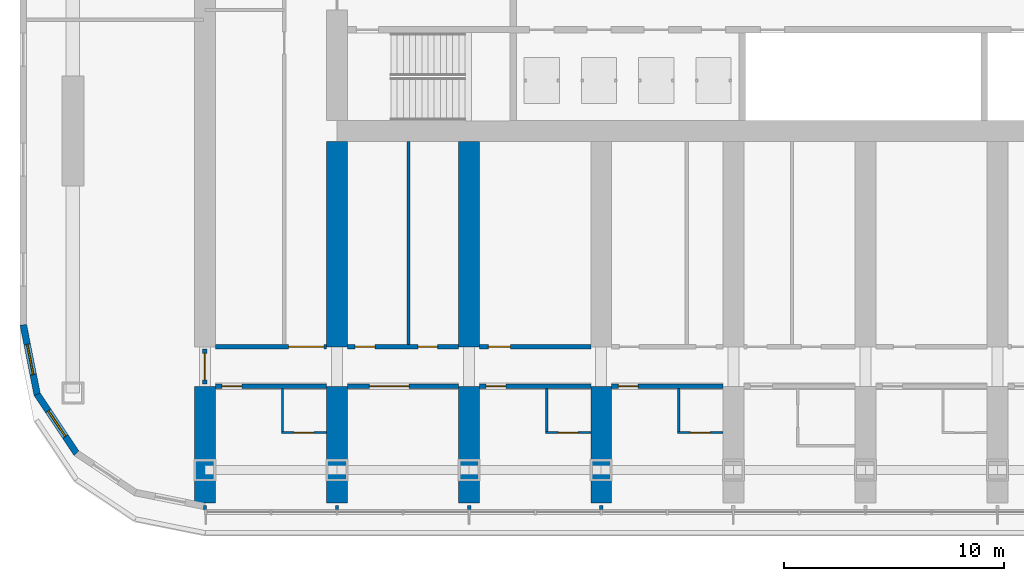
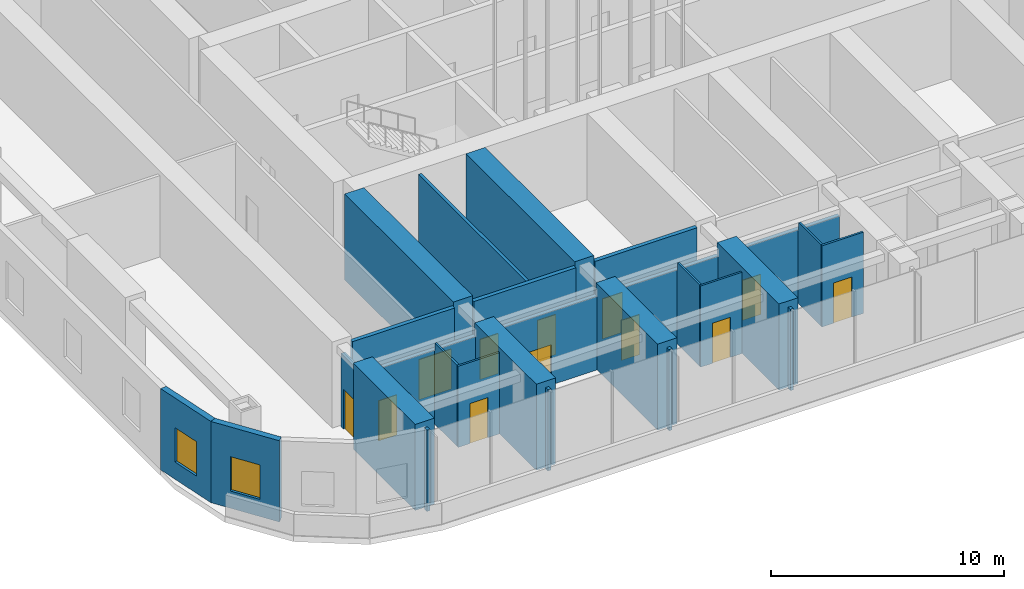
# One storey, part 7 of 31: 27 walls, 12 doors, 2 windows, 14 openings.
"""IFC4 building model written with IfcOpenShell, lengths in metres."""

from ifc_helpers import new_model, si_unit, direction, frame, frame_2d, origin, place, context, subcontext, project, spatial, polyline, rectangle, outline, extrude, material, layer, layer_set, type_object, element, fill, save


model = new_model("IFC4")

# Units and contexts
model_context = context("Model", 3, precision=1e-05, world=origin(), true_north=direction((0.0, 1.0)))
body_context = subcontext(model_context, "Body", "Model", "MODEL_VIEW")
ifc_project = project(units=[si_unit("LENGTHUNIT", "METRE"), si_unit("AREAUNIT", "SQUARE_METRE"), si_unit("VOLUMEUNIT", "CUBIC_METRE"), si_unit("PLANEANGLEUNIT", "RADIAN"), si_unit("MASSUNIT", "GRAM", prefix="KILO")], contexts=[model_context])

# Site, building, storey
site_placement = place(None, origin())
site = spatial("IfcSite", under=ifc_project, at=site_placement, CompositionType="ELEMENT")
building_placement = place(site_placement, origin())
building = spatial("IfcBuilding", under=site, at=building_placement, Name="Orbita Commons", CompositionType="ELEMENT")
storey_placement = place(building_placement, frame((0.0, 0.0, 76.14990234375)))
storey = spatial("IfcBuildingStorey", under=building, at=storey_placement, Name="L18", CompositionType="ELEMENT", Elevation=76.14990234375)

# Wall, opening, door
ifc_material_1 = material(Name="Concrete blockwork", Category="masonry")
ifc_layer_1 = layer(ifc_material_1, 0.199951171875)
ifc_layer_set_1 = layer_set([ifc_layer_1], Name="Concrete blockwork")
wall_type_1 = type_object("IfcWallType", Name="Corridor wall 200 blockwork", PredefinedType="SOLIDWALL", material=ifc_layer_set_1)
wall_1_placement = place(storey_placement, frame((12.47509765625, 14.199951171875, 0.0), z_axis=(0.0, 0.0, 1.0), x_axis=(1.0, 0.0, 0.0)))
wall_1 = element("IfcWall", 1, at=wall_1_placement, inside=storey, type_object=wall_type_1, Name="Corridor wall 200 blockwork L18", PredefinedType="SOLIDWALL", context=body_context, shape_type="SweptSolid", body=[
    extrude(outline(polyline([(0.0, 0.0), (5.0498046875, 0.0), (5.050048828125, 3.85009765625), (0.0, 3.85009765625), (0.0, 0.0)])), frame((0.0, 0.10009765625, 0.0), z_axis=(0.0, -1.0, 0.0), x_axis=(1.0, 0.0, 0.0)), (0.0, 0.0, 1.0), 0.199951171875),
])
opening_1_placement = place(wall_1_placement, frame((0.300048828125, 0.0, 0.0)))
opening_1 = element("IfcOpeningElement", 2, at=opening_1_placement, cuts=wall_1, Name="Opening D11", PredefinedType="OPENING", context=body_context, shape_type="SweptSolid", body=[
    extrude(rectangle(XDim=0.89990234375, YDim=2.10009765625, at=frame_2d((0.449951171875, 1.050048828125))), frame((0.0, 0.10986328125, 0.0), z_axis=(0.0, -1.0, 0.0), x_axis=(1.0, 0.0, 0.0)), (0.0, 0.0, 1.0), 0.219970703125),
])
ifc_material_2 = material(Name="Steel-faced fire door leaf", Category="steel")
door_type_1 = type_object("IfcDoorType", Name="Corridor door 20 min 900x2100", OperationType="SINGLE_SWING_LEFT", PredefinedType="DOOR", material=ifc_material_2)
door_1_placement = place(opening_1_placement, origin())
door_1 = element("IfcDoor", 3, at=door_1_placement, inside=storey, type_object=door_type_1, Name="Guest studio with kitchenette L18-SF0 door", OperationType="SINGLE_SWING_LEFT", OverallHeight=2.10009765625, OverallWidth=0.89990234375, PredefinedType="DOOR", context=body_context, shape_type="SweptSolid", body=[
    extrude(rectangle(XDim=0.89990234375, YDim=2.10009765625, at=frame_2d((0.449951171875, 1.050048828125))), frame((0.0, 0.02490234375, 0.0), z_axis=(0.0, -1.0, 0.0), x_axis=(1.0, 0.0, 0.0)), (0.0, 0.0, 1.0), 0.050048828125),
])
fill(opening_1, door_1)

wall_2_placement = place(storey_placement, frame((18.47509765625, 14.199951171875, 0.0), z_axis=(0.0, 0.0, 1.0), x_axis=(1.0, 0.0, 0.0)))
wall_2 = element("IfcWall", 4, at=wall_2_placement, inside=storey, type_object=wall_type_1, Name="Corridor wall 200 blockwork L18", PredefinedType="SOLIDWALL", context=body_context, shape_type="SweptSolid", body=[
    extrude(outline(polyline([(0.0, 0.0), (5.0498046875, 0.0), (5.050048828125, 3.85009765625), (0.0, 3.85009765625), (0.0, 0.0)])), frame((0.0, 0.10009765625, 0.0), z_axis=(0.0, -1.0, 0.0), x_axis=(1.0, 0.0, 0.0)), (0.0, 0.0, 1.0), 0.199951171875),
])
opening_2_placement = place(wall_2_placement, frame((1.0, 0.0, 0.0)))
opening_2 = element("IfcOpeningElement", 5, at=opening_2_placement, cuts=wall_2, Name="Opening D07", PredefinedType="OPENING", context=body_context, shape_type="SweptSolid", body=[
    extrude(rectangle(XDim=1.800048828125, YDim=2.10009765625, at=frame_2d((0.89990234375, 1.050048828125))), frame((0.0, 0.10986328125, 0.0), z_axis=(0.0, -1.0, 0.0), x_axis=(1.0, 0.0, 0.0)), (0.0, 0.0, 1.0), 0.219970703125),
])
ifc_material_3 = material(Name="Steel-faced fire door leaf", Category="steel")
door_type_2 = type_object("IfcDoorType", Name="Double corridor door 20 min 1800x2100", OperationType="DOUBLE_DOOR_SINGLE_SWING", PredefinedType="DOOR", material=ifc_material_3)
door_2_placement = place(opening_2_placement, origin())
door_2 = element("IfcDoor", 6, at=door_2_placement, inside=storey, type_object=door_type_2, Name="Sky cafe L18-SF1 doors", OperationType="DOUBLE_DOOR_SINGLE_SWING", OverallHeight=2.10009765625, OverallWidth=1.800048828125, PredefinedType="DOOR", context=body_context, shape_type="SweptSolid", body=[
    extrude(rectangle(XDim=1.800048828125, YDim=2.10009765625, at=frame_2d((0.89990234375, 1.050048828125))), frame((0.0, 0.02490234375, 0.0), z_axis=(0.0, -1.0, 0.0), x_axis=(1.0, 0.0, 0.0)), (0.0, 0.0, 1.0), 0.050048828125),
])
fill(opening_2, door_2)

wall_3_placement = place(storey_placement, frame((24.47509765625, 14.199951171875, 0.0), z_axis=(0.0, 0.0, 1.0), x_axis=(1.0, 0.0, 0.0)))
wall_3 = element("IfcWall", 7, at=wall_3_placement, inside=storey, type_object=wall_type_1, Name="Corridor wall 200 blockwork L18", PredefinedType="SOLIDWALL", context=body_context, shape_type="SweptSolid", body=[
    extrude(outline(polyline([(0.0, 0.0), (5.0498046875, 0.0), (5.050048828125, 3.85009765625), (0.0, 3.85009765625), (0.0, 0.0)])), frame((0.0, 0.10009765625, 0.0), z_axis=(0.0, -1.0, 0.0), x_axis=(1.0, 0.0, 0.0)), (0.0, 0.0, 1.0), 0.199951171875),
])
opening_3_placement = place(wall_3_placement, frame((0.300048828125, 0.0, 0.0)))
opening_3 = element("IfcOpeningElement", 8, at=opening_3_placement, cuts=wall_3, Name="Opening D11", PredefinedType="OPENING", context=body_context, shape_type="SweptSolid", body=[
    extrude(rectangle(XDim=0.89990234375, YDim=2.10009765625, at=frame_2d((0.449951171875, 1.050048828125))), frame((0.0, 0.10986328125, 0.0), z_axis=(0.0, -1.0, 0.0), x_axis=(1.0, 0.0, 0.0)), (0.0, 0.0, 1.0), 0.219970703125),
])
door_3_placement = place(opening_3_placement, origin())
door_3 = element("IfcDoor", 9, at=door_3_placement, inside=storey, type_object=door_type_1, Name="Guest studio with kitchenette L18-SF2 door", OperationType="SINGLE_SWING_LEFT", OverallHeight=2.10009765625, OverallWidth=0.89990234375, PredefinedType="DOOR", context=body_context, shape_type="SweptSolid", body=[
    extrude(rectangle(XDim=0.89990234375, YDim=2.10009765625, at=frame_2d((0.449951171875, 1.050048828125))), frame((0.0, 0.02490234375, 0.0), z_axis=(0.0, -1.0, 0.0), x_axis=(1.0, 0.0, 0.0)), (0.0, 0.0, 1.0), 0.050048828125),
])
fill(opening_3, door_3)

wall_4_placement = place(storey_placement, frame((30.47509765625, 14.199951171875, 0.0), z_axis=(0.0, 0.0, 1.0), x_axis=(1.0, 0.0, 0.0)))
wall_4 = element("IfcWall", 10, at=wall_4_placement, inside=storey, type_object=wall_type_1, Name="Corridor wall 200 blockwork L18", PredefinedType="SOLIDWALL", context=body_context, shape_type="SweptSolid", body=[
    extrude(outline(polyline([(0.0, 0.0), (5.0498046875, 0.0), (5.050048828125, 3.85009765625), (0.0, 3.85009765625), (0.0, 0.0)])), frame((0.0, 0.10009765625, 0.0), z_axis=(0.0, -1.0, 0.0), x_axis=(1.0, 0.0, 0.0)), (0.0, 0.0, 1.0), 0.199951171875),
])
opening_4_placement = place(wall_4_placement, frame((0.300048828125, 0.0, 0.0)))
opening_4 = element("IfcOpeningElement", 11, at=opening_4_placement, cuts=wall_4, Name="Opening D11", PredefinedType="OPENING", context=body_context, shape_type="SweptSolid", body=[
    extrude(rectangle(XDim=0.89990234375, YDim=2.10009765625, at=frame_2d((0.449951171875, 1.050048828125))), frame((0.0, 0.10986328125, 0.0), z_axis=(0.0, -1.0, 0.0), x_axis=(1.0, 0.0, 0.0)), (0.0, 0.0, 1.0), 0.219970703125),
])
door_4_placement = place(opening_4_placement, origin())
door_4 = element("IfcDoor", 12, at=door_4_placement, inside=storey, type_object=door_type_1, Name="Guest studio with kitchenette L18-SF3 door", OperationType="SINGLE_SWING_LEFT", OverallHeight=2.10009765625, OverallWidth=0.89990234375, PredefinedType="DOOR", context=body_context, shape_type="SweptSolid", body=[
    extrude(rectangle(XDim=0.89990234375, YDim=2.10009765625, at=frame_2d((0.449951171875, 1.050048828125))), frame((0.0, 0.02490234375, 0.0), z_axis=(0.0, -1.0, 0.0), x_axis=(1.0, 0.0, 0.0)), (0.0, 0.0, 1.0), 0.050048828125),
])
fill(opening_4, door_4)

wall_5_placement = place(storey_placement, frame((12.0, 14.300048828125, 0.0), z_axis=(0.0, 0.0, 1.0), x_axis=(0.0, 1.0, 0.0)))
wall_5 = element("IfcWall", 13, at=wall_5_placement, inside=storey, type_object=wall_type_1, Name="Corridor wall 200 blockwork L18", PredefinedType="SOLIDWALL", context=body_context, shape_type="SweptSolid", body=[
    extrude(outline(polyline([(0.0, 0.0), (1.599853515625, 0.0), (1.60009765625, 3.85009765625), (0.0, 3.85009765625), (0.0, 0.0)])), frame((0.0, 0.10009765625, 0.0), z_axis=(0.0, -1.0, 0.0), x_axis=(1.0, 0.0, 0.0)), (0.0, 0.0, 1.0), 0.199951171875),
])
opening_5_placement = place(wall_5_placement, frame((0.199951171875, 0.0, 0.0)))
opening_5 = element("IfcOpeningElement", 14, at=opening_5_placement, cuts=wall_5, Name="Opening D12", PredefinedType="OPENING", context=body_context, shape_type="SweptSolid", body=[
    extrude(rectangle(XDim=1.199951171875, YDim=2.10009765625, at=frame_2d((0.60009765625, 1.050048828125))), frame((0.0, 0.10986328125, 0.0), z_axis=(0.0, -1.0, 0.0), x_axis=(1.0, 0.0, 0.0)), (0.0, 0.0, 1.0), 0.219970703125),
])
ifc_material_4 = material(Name="Steel-faced fire door leaf", Category="steel")
door_type_3 = type_object("IfcDoorType", Name="Double corridor door 20 min 1200x2100", OperationType="DOUBLE_DOOR_SINGLE_SWING", PredefinedType="DOOR", material=ifc_material_4)
door_5_placement = place(opening_5_placement, origin())
door_5 = element("IfcDoor", 15, at=door_5_placement, inside=storey, type_object=door_type_3, Name="Lounge doors", OperationType="DOUBLE_DOOR_SINGLE_SWING", OverallHeight=2.10009765625, OverallWidth=1.199951171875, PredefinedType="DOOR", context=body_context, shape_type="SweptSolid", body=[
    extrude(rectangle(XDim=1.199951171875, YDim=2.10009765625, at=frame_2d((0.60009765625, 1.050048828125))), frame((0.0, 0.02490234375, 0.0), z_axis=(0.0, -1.0, 0.0), x_axis=(1.0, 0.0, 0.0)), (0.0, 0.0, 1.0), 0.050048828125),
])
fill(opening_5, door_5)

ifc_material_5 = material(Name="Hollow concrete block 200", Category="concrete")
ifc_layer_2 = layer(ifc_material_5, 0.199951171875)
ifc_layer_set_2 = layer_set([ifc_layer_2], Name="Hollow concrete block 200")
wall_type_2 = type_object("IfcWallType", Name="Corridor wall 200 hollow concrete block", PredefinedType="SOLIDWALL", material=ifc_layer_set_2)
wall_6_placement = place(storey_placement, frame((12.47509765625, 16.0, 0.0), z_axis=(0.0, 0.0, 1.0), x_axis=(1.0, 0.0, 0.0)))
wall_6 = element("IfcWall", 16, at=wall_6_placement, inside=storey, type_object=wall_type_2, Name="Corridor wall 200 hollow concrete block L18", PredefinedType="SOLIDWALL", context=body_context, shape_type="SweptSolid", body=[
    extrude(rectangle(XDim=5.0498046875, YDim=0.199951171875, at=frame_2d((2.52490234375, 0.0))), origin(), (0.0, 0.0, 1.0), 4.25),
])
opening_6_placement = place(wall_6_placement, frame((3.324951171875, 0.0, 0.0)))
opening_6 = element("IfcOpeningElement", 17, at=opening_6_placement, cuts=wall_6, Name="Opening D10", PredefinedType="OPENING", context=body_context, shape_type="SweptSolid", body=[
    extrude(rectangle(XDim=1.60009765625, YDim=2.10009765625, at=frame_2d((0.800048828125, 1.050048828125))), frame((0.0, 0.10986328125, 0.0), z_axis=(0.0, -1.0, 0.0), x_axis=(1.0, 0.0, 0.0)), (0.0, 0.0, 1.0), 0.219970703125),
])
ifc_material_6 = material(Name="Steel-faced fire door leaf", Category="steel")
door_type_4 = type_object("IfcDoorType", Name="Double corridor door 20 min 1600x2100", OperationType="DOUBLE_DOOR_SINGLE_SWING", PredefinedType="DOOR", material=ifc_material_6)
door_6_placement = place(opening_6_placement, origin())
door_6 = element("IfcDoor", 18, at=door_6_placement, inside=storey, type_object=door_type_4, Name="Cross corridor doors", OperationType="DOUBLE_DOOR_SINGLE_SWING", OverallHeight=2.10009765625, OverallWidth=1.60009765625, PredefinedType="DOOR", context=body_context, shape_type="SweptSolid", body=[
    extrude(rectangle(XDim=1.60009765625, YDim=2.10009765625, at=frame_2d((0.800048828125, 1.050048828125))), frame((0.0, 0.02490234375, 0.0), z_axis=(0.0, -1.0, 0.0), x_axis=(1.0, 0.0, 0.0)), (0.0, 0.0, 1.0), 0.050048828125),
])
fill(opening_6, door_6)

# Wall, openings, doors
wall_7_placement = place(storey_placement, frame((18.47509765625, 16.0, 0.0), z_axis=(0.0, 0.0, 1.0), x_axis=(1.0, 0.0, 0.0)))
wall_7 = element("IfcWall", 19, at=wall_7_placement, inside=storey, type_object=wall_type_2, Name="Corridor wall 200 hollow concrete block L18", PredefinedType="SOLIDWALL", context=body_context, shape_type="SweptSolid", body=[
    extrude(rectangle(XDim=5.0498046875, YDim=0.199951171875, at=frame_2d((2.52490234375, 0.0))), origin(), (0.0, 0.0, 1.0), 4.25),
])
opening_7_placement = place(wall_7_placement, frame((0.35009765625, 0.0, 0.0)))
opening_7 = element("IfcOpeningElement", 20, at=opening_7_placement, cuts=wall_7, Name="Opening D11", PredefinedType="OPENING", context=body_context, shape_type="SweptSolid", body=[
    extrude(rectangle(XDim=0.89990234375, YDim=2.10009765625, at=frame_2d((0.449951171875, 1.050048828125))), frame((0.0, 0.10986328125, 0.0), z_axis=(0.0, -1.0, 0.0), x_axis=(1.0, 0.0, 0.0)), (0.0, 0.0, 1.0), 0.219970703125),
])
opening_8_placement = place(wall_7_placement, frame((3.195068359375, 0.0, 0.0)))
opening_8 = element("IfcOpeningElement", 21, at=opening_8_placement, cuts=wall_7, Name="Opening D11", PredefinedType="OPENING", context=body_context, shape_type="SweptSolid", body=[
    extrude(rectangle(XDim=0.89990234375, YDim=2.10009765625, at=frame_2d((0.449951171875, 1.050048828125))), frame((0.0, 0.10986328125, 0.0), z_axis=(0.0, -1.0, 0.0), x_axis=(1.0, 0.0, 0.0)), (0.0, 0.0, 1.0), 0.219970703125),
])
door_7_placement = place(opening_7_placement, origin())
door_7 = element("IfcDoor", 22, at=door_7_placement, inside=storey, type_object=door_type_1, Name="Media room L18-BDS18 door", OperationType="SINGLE_SWING_LEFT", OverallHeight=2.10009765625, OverallWidth=0.89990234375, PredefinedType="DOOR", context=body_context, shape_type="SweptSolid", body=[
    extrude(rectangle(XDim=0.89990234375, YDim=2.10009765625, at=frame_2d((0.449951171875, 1.050048828125))), frame((0.0, 0.02490234375, 0.0), z_axis=(0.0, -1.0, 0.0), x_axis=(1.0, 0.0, 0.0)), (0.0, 0.0, 1.0), 0.050048828125),
])
fill(opening_7, door_7)
door_8_placement = place(opening_8_placement, origin())
door_8 = element("IfcDoor", 23, at=door_8_placement, inside=storey, type_object=door_type_1, Name="Accessible WC and shower room L18-BDS18n door", OperationType="SINGLE_SWING_LEFT", OverallHeight=2.10009765625, OverallWidth=0.89990234375, PredefinedType="DOOR", context=body_context, shape_type="SweptSolid", body=[
    extrude(rectangle(XDim=0.89990234375, YDim=2.10009765625, at=frame_2d((0.449951171875, 1.050048828125))), frame((0.0, 0.02490234375, 0.0), z_axis=(0.0, -1.0, 0.0), x_axis=(1.0, 0.0, 0.0)), (0.0, 0.0, 1.0), 0.050048828125),
])
fill(opening_8, door_8)

# Wall, opening, door
wall_8_placement = place(storey_placement, frame((24.47509765625, 16.0, 0.0), z_axis=(0.0, 0.0, 1.0), x_axis=(1.0, 0.0, 0.0)))
wall_8 = element("IfcWall", 24, at=wall_8_placement, inside=storey, type_object=wall_type_2, Name="Corridor wall 200 hollow concrete block L18", PredefinedType="SOLIDWALL", context=body_context, shape_type="SweptSolid", body=[
    extrude(rectangle(XDim=5.0498046875, YDim=0.199951171875, at=frame_2d((2.52490234375, 0.0))), origin(), (0.0, 0.0, 1.0), 4.25),
])
opening_9_placement = place(wall_8_placement, frame((0.39990234375, 0.0, 0.0)))
opening_9 = element("IfcOpeningElement", 25, at=opening_9_placement, cuts=wall_8, Name="Opening D06", PredefinedType="OPENING", context=body_context, shape_type="SweptSolid", body=[
    extrude(rectangle(XDim=1.0, YDim=2.10009765625, at=frame_2d((0.5, 1.050048828125))), frame((0.0, 0.10986328125, 0.0), z_axis=(0.0, -1.0, 0.0), x_axis=(1.0, 0.0, 0.0)), (0.0, 0.0, 1.0), 0.219970703125),
])
ifc_material_7 = material(Name="Steel-faced fire door leaf", Category="steel")
door_type_5 = type_object("IfcDoorType", Name="Corridor door 20 min 1000x2100", OperationType="SINGLE_SWING_LEFT", PredefinedType="DOOR", material=ifc_material_7)
door_9_placement = place(opening_9_placement, origin())
door_9 = element("IfcDoor", 26, at=door_9_placement, inside=storey, type_object=door_type_5, Name="Ventilation plant room L18-BDS24 door", OperationType="SINGLE_SWING_LEFT", OverallHeight=2.10009765625, OverallWidth=1.0, PredefinedType="DOOR", context=body_context, shape_type="SweptSolid", body=[
    extrude(rectangle(XDim=1.0, YDim=2.10009765625, at=frame_2d((0.5, 1.050048828125))), frame((0.0, 0.02490234375, 0.0), z_axis=(0.0, -1.0, 0.0), x_axis=(1.0, 0.0, 0.0)), (0.0, 0.0, 1.0), 0.050048828125),
])
fill(opening_9, door_9)

# Walls
ifc_material_8 = material(Name="Concrete C50/60", Category="concrete")
ifc_layer_3 = layer(ifc_material_8, 0.949951171875)
ifc_layer_set_3 = layer_set([ifc_layer_3], Name="Concrete C50/60")
wall_type_3 = type_object("IfcWallType", Name="Cross wall 950 C50/60", PredefinedType="SHEAR", material=ifc_layer_set_3)
for number, where, z_axis, x_axis, name in (
    (27, (12.0, 8.89990234375, 0.0), (0.0, 0.0, 1.0), (0.0, 1.0, 0.0), "Cross wall 3 south outer L18"),
    (28, (18.0, 8.89990234375, 0.0), (0.0, 0.0, 1.0), (0.0, 1.0, 0.0), "Cross wall 4 south outer L18"),
):
    element("IfcWall", number, at=place(storey_placement, frame(where, z_axis=z_axis, x_axis=x_axis)), inside=storey, type_object=wall_type_3, Name=name, PredefinedType="SHEAR", context=body_context, shape_type="SweptSolid", body=[
        extrude(rectangle(XDim=5.300048828125, YDim=0.949951171875, at=frame_2d((2.64990234375, 0.0))), origin(), (0.0, 0.0, 1.0), 4.5),
    ])
wall_9_placement = place(storey_placement, frame((18.0, 16.0, 0.0), z_axis=(0.0, 0.0, 1.0), x_axis=(0.0, 1.0, 0.0)))
element("IfcWall", 29, at=wall_9_placement, inside=storey, type_object=wall_type_3, Name="Cross wall 4 south inner L18", PredefinedType="SHEAR", context=body_context, shape_type="SweptSolid", body=[
    extrude(rectangle(XDim=9.324951171875, YDim=0.949951171875, at=frame_2d((4.66259765625, 0.0))), origin(), (0.0, 0.0, 1.0), 4.5),
])
wall_10_placement = place(storey_placement, frame((24.0, 8.89990234375, 0.0), z_axis=(0.0, 0.0, 1.0), x_axis=(0.0, 1.0, 0.0)))
element("IfcWall", 30, at=wall_10_placement, inside=storey, type_object=wall_type_3, Name="Cross wall 5 south outer L18", PredefinedType="SHEAR", context=body_context, shape_type="SweptSolid", body=[
    extrude(rectangle(XDim=5.300048828125, YDim=0.949951171875, at=frame_2d((2.64990234375, 0.0))), origin(), (0.0, 0.0, 1.0), 4.5),
])
wall_11_placement = place(storey_placement, frame((24.0, 16.0, 0.0), z_axis=(0.0, 0.0, 1.0), x_axis=(0.0, 1.0, 0.0)))
element("IfcWall", 31, at=wall_11_placement, inside=storey, type_object=wall_type_3, Name="Cross wall 5 south inner L18", PredefinedType="SHEAR", context=body_context, shape_type="SweptSolid", body=[
    extrude(rectangle(XDim=9.324951171875, YDim=0.949951171875, at=frame_2d((4.66259765625, 0.0))), origin(), (0.0, 0.0, 1.0), 4.5),
])
wall_12_placement = place(storey_placement, frame((30.0, 8.89990234375, 0.0), z_axis=(0.0, 0.0, 1.0), x_axis=(0.0, 1.0, 0.0)))
element("IfcWall", 32, at=wall_12_placement, inside=storey, type_object=wall_type_3, Name="Cross wall 6 south outer L18", PredefinedType="SHEAR", context=body_context, shape_type="SweptSolid", body=[
    extrude(rectangle(XDim=5.300048828125, YDim=0.949951171875, at=frame_2d((2.64990234375, 0.0))), origin(), (0.0, 0.0, 1.0), 4.5),
])

# Wall, opening, door
ifc_material_9 = material(Name="Moisture-resistant plasterboard on steel studs", Category="steel")
ifc_layer_4 = layer(ifc_material_9, 0.10009765625)
ifc_layer_set_4 = layer_set([ifc_layer_4], Name="Moisture-resistant plasterboard on steel studs")
wall_type_4 = type_object("IfcWallType", Name="En-suite partition 100", PredefinedType="PARTITIONING", material=ifc_layer_set_4)
wall_13_placement = place(storey_placement, frame((17.52490234375, 12.10009765625, 0.0), z_axis=(0.0, 0.0, 1.0), x_axis=(-1.0, 0.0, 0.0)))
wall_13 = element("IfcWall", 33, at=wall_13_placement, inside=storey, type_object=wall_type_4, Name="En-suite partition 100 L18", PredefinedType="PARTITIONING", context=body_context, shape_type="SweptSolid", body=[
    extrude(rectangle(XDim=2.0498046875, YDim=0.10009765625, at=frame_2d((1.02490234375, 0.0))), origin(), (0.0, 0.0, 1.0), 4.25),
])
opening_10_placement = place(wall_13_placement, frame((0.574951171875, 0.0, 0.0)))
opening_10 = element("IfcOpeningElement", 34, at=opening_10_placement, cuts=wall_13, Name="Opening D09", PredefinedType="OPENING", context=body_context, shape_type="SweptSolid", body=[
    extrude(rectangle(XDim=0.89990234375, YDim=2.10009765625, at=frame_2d((0.449951171875, 1.050048828125))), frame((0.0, 0.06005859375, 0.0), z_axis=(0.0, -1.0, 0.0), x_axis=(1.0, 0.0, 0.0)), (0.0, 0.0, 1.0), 0.1201171875),
])
ifc_material_10 = material(Name="Laminated timber door leaf", Category="wood")
door_type_6 = type_object("IfcDoorType", Name="En-suite door 900x2100", OperationType="SINGLE_SWING_RIGHT", PredefinedType="DOOR", material=ifc_material_10)
door_10_placement = place(opening_10_placement, origin())
door_10 = element("IfcDoor", 35, at=door_10_placement, inside=storey, type_object=door_type_6, Name="En-suite L18-SF0 door", OperationType="SINGLE_SWING_RIGHT", OverallHeight=2.10009765625, OverallWidth=0.89990234375, PredefinedType="DOOR", context=body_context, shape_type="SweptSolid", body=[
    extrude(rectangle(XDim=0.89990234375, YDim=2.10009765625, at=frame_2d((0.449951171875, 1.050048828125))), frame((0.0, 0.02490234375, 0.0), z_axis=(0.0, -1.0, 0.0), x_axis=(1.0, 0.0, 0.0)), (0.0, 0.0, 1.0), 0.050048828125),
])
fill(opening_10, door_10)

# Wall
wall_14_placement = place(storey_placement, frame((15.52490234375, 12.14990234375, 0.0), z_axis=(0.0, 0.0, 1.0), x_axis=(0.0, 1.0, 0.0)))
element("IfcWall", 36, at=wall_14_placement, inside=storey, type_object=wall_type_4, Name="En-suite partition 100 L18", PredefinedType="PARTITIONING", context=body_context, shape_type="SweptSolid", body=[
    extrude(outline(polyline([(0.0, 0.0), (1.9501953125, 0.0), (1.949951171875, 3.85009765625), (1.902099609375, 3.85009765625), (1.89990234375, 4.25), (0.0, 4.25), (0.0, 0.0)])), frame((0.0, 0.050048828125, 0.0), z_axis=(0.0, -1.0, 0.0), x_axis=(1.0, 0.0, 0.0)), (0.0, 0.0, 1.0), 0.10009765625),
])

# Wall, opening, door
wall_15_placement = place(storey_placement, frame((29.52490234375, 12.10009765625, 0.0), z_axis=(0.0, 0.0, 1.0), x_axis=(-1.0, 0.0, 0.0)))
wall_15 = element("IfcWall", 37, at=wall_15_placement, inside=storey, type_object=wall_type_4, Name="En-suite partition 100 L18", PredefinedType="PARTITIONING", context=body_context, shape_type="SweptSolid", body=[
    extrude(rectangle(XDim=2.0498046875, YDim=0.10009765625, at=frame_2d((1.02490234375, 0.0))), origin(), (0.0, 0.0, 1.0), 4.25),
])
opening_11_placement = place(wall_15_placement, frame((0.574951171875, 0.0, 0.0)))
opening_11 = element("IfcOpeningElement", 38, at=opening_11_placement, cuts=wall_15, Name="Opening D09", PredefinedType="OPENING", context=body_context, shape_type="SweptSolid", body=[
    extrude(rectangle(XDim=0.89990234375, YDim=2.10009765625, at=frame_2d((0.449951171875, 1.050048828125))), frame((0.0, 0.06005859375, 0.0), z_axis=(0.0, -1.0, 0.0), x_axis=(1.0, 0.0, 0.0)), (0.0, 0.0, 1.0), 0.1201171875),
])
door_11_placement = place(opening_11_placement, origin())
door_11 = element("IfcDoor", 39, at=door_11_placement, inside=storey, type_object=door_type_6, Name="En-suite L18-SF2 door", OperationType="SINGLE_SWING_RIGHT", OverallHeight=2.10009765625, OverallWidth=0.89990234375, PredefinedType="DOOR", context=body_context, shape_type="SweptSolid", body=[
    extrude(rectangle(XDim=0.89990234375, YDim=2.10009765625, at=frame_2d((0.449951171875, 1.050048828125))), frame((0.0, 0.02490234375, 0.0), z_axis=(0.0, -1.0, 0.0), x_axis=(1.0, 0.0, 0.0)), (0.0, 0.0, 1.0), 0.050048828125),
])
fill(opening_11, door_11)

# Wall
wall_16_placement = place(storey_placement, frame((27.52490234375, 12.14990234375, 0.0), z_axis=(0.0, 0.0, 1.0), x_axis=(0.0, 1.0, 0.0)))
element("IfcWall", 40, at=wall_16_placement, inside=storey, type_object=wall_type_4, Name="En-suite partition 100 L18", PredefinedType="PARTITIONING", context=body_context, shape_type="SweptSolid", body=[
    extrude(outline(polyline([(0.0, 0.0), (1.9501953125, 0.0), (1.949951171875, 3.85009765625), (1.902099609375, 3.85009765625), (1.89990234375, 4.25), (0.0, 4.25), (0.0, 0.0)])), frame((0.0, 0.050048828125, 0.0), z_axis=(0.0, -1.0, 0.0), x_axis=(1.0, 0.0, 0.0)), (0.0, 0.0, 1.0), 0.10009765625),
])

# Wall, opening, door
wall_17_placement = place(storey_placement, frame((35.52490234375, 12.10009765625, 0.0), z_axis=(0.0, 0.0, 1.0), x_axis=(-1.0, 0.0, 0.0)))
wall_17 = element("IfcWall", 41, at=wall_17_placement, inside=storey, type_object=wall_type_4, Name="En-suite partition 100 L18", PredefinedType="PARTITIONING", context=body_context, shape_type="SweptSolid", body=[
    extrude(rectangle(XDim=2.0498046875, YDim=0.10009765625, at=frame_2d((1.02490234375, 0.0))), origin(), (0.0, 0.0, 1.0), 4.25),
])
opening_12_placement = place(wall_17_placement, frame((0.574951171875, 0.0, 0.0)))
opening_12 = element("IfcOpeningElement", 42, at=opening_12_placement, cuts=wall_17, Name="Opening D09", PredefinedType="OPENING", context=body_context, shape_type="SweptSolid", body=[
    extrude(rectangle(XDim=0.89990234375, YDim=2.10009765625, at=frame_2d((0.449951171875, 1.050048828125))), frame((0.0, 0.06005859375, 0.0), z_axis=(0.0, -1.0, 0.0), x_axis=(1.0, 0.0, 0.0)), (0.0, 0.0, 1.0), 0.1201171875),
])
door_12_placement = place(opening_12_placement, origin())
door_12 = element("IfcDoor", 43, at=door_12_placement, inside=storey, type_object=door_type_6, Name="En-suite L18-SF3 door", OperationType="SINGLE_SWING_RIGHT", OverallHeight=2.10009765625, OverallWidth=0.89990234375, PredefinedType="DOOR", context=body_context, shape_type="SweptSolid", body=[
    extrude(rectangle(XDim=0.89990234375, YDim=2.10009765625, at=frame_2d((0.449951171875, 1.050048828125))), frame((0.0, 0.02490234375, 0.0), z_axis=(0.0, -1.0, 0.0), x_axis=(1.0, 0.0, 0.0)), (0.0, 0.0, 1.0), 0.050048828125),
])
fill(opening_12, door_12)

# Walls
wall_18_placement = place(storey_placement, frame((33.52490234375, 12.14990234375, 0.0), z_axis=(0.0, 0.0, 1.0), x_axis=(0.0, 1.0, 0.0)))
element("IfcWall", 44, at=wall_18_placement, inside=storey, type_object=wall_type_4, Name="En-suite partition 100 L18", PredefinedType="PARTITIONING", context=body_context, shape_type="SweptSolid", body=[
    extrude(outline(polyline([(0.0, 0.0), (1.9501953125, 0.0), (1.949951171875, 3.85009765625), (1.902099609375, 3.85009765625), (1.89990234375, 4.25), (0.0, 4.25), (0.0, 0.0)])), frame((0.0, 0.050048828125, 0.0), z_axis=(0.0, -1.0, 0.0), x_axis=(1.0, 0.0, 0.0)), (0.0, 0.0, 1.0), 0.10009765625),
])
ifc_material_11 = material(Name="Gypsum plasterboard on steel studs", Category="steel")
ifc_layer_5 = layer(ifc_material_11, 0.14990234375)
ifc_layer_set_5 = layer_set([ifc_layer_5], Name="Gypsum plasterboard on steel studs")
wall_type_5 = type_object("IfcWallType", Name="Partition 150 plasterboard", PredefinedType="PARTITIONING", material=ifc_layer_set_5)
wall_19_placement = place(storey_placement, frame((21.2451171875, 16.10009765625, 0.0), z_axis=(0.0, 0.0, 1.0), x_axis=(0.0, 1.0, 0.0)))
element("IfcWall", 45, at=wall_19_placement, inside=storey, type_object=wall_type_5, Name="Partition 150 plasterboard L18", PredefinedType="PARTITIONING", context=body_context, shape_type="SweptSolid", body=[
    extrude(rectangle(XDim=9.224853515625, YDim=0.14990234375, at=frame_2d((4.6123046875, 0.0))), origin(), (0.0, 0.0, 1.0), 4.25),
])
wall_20_placement = place(storey_placement, frame((12.0, 8.800048828125, 0.0), z_axis=(0.0, 0.0, 1.0), x_axis=(0.0, -1.0, 0.0)))
element("IfcWall", 46, at=wall_20_placement, inside=storey, type_object=wall_type_5, Name="Partition 150 plasterboard L18", PredefinedType="PARTITIONING", context=body_context, shape_type="SweptSolid", body=[
    extrude(rectangle(XDim=0.219970703125, YDim=0.14990234375, at=frame_2d((0.10986328125, 0.0))), origin(), (0.0, 0.0, 1.0), 4.25),
])
for number, where, z_axis, x_axis, name in (
    (47, (18.0, 8.800048828125, 0.0), (0.0, 0.0, 1.0), (0.0, -1.0, 0.0), "Partition 150 plasterboard L18"),
    (48, (24.0, 8.800048828125, 0.0), (0.0, 0.0, 1.0), (0.0, -1.0, 0.0), "Partition 150 plasterboard L18"),
    (49, (30.0, 8.800048828125, 0.0), (0.0, 0.0, 1.0), (0.0, -1.0, 0.0), "Partition 150 plasterboard L18"),
):
    element("IfcWall", number, at=place(storey_placement, frame(where, z_axis=z_axis, x_axis=x_axis)), inside=storey, type_object=wall_type_5, Name=name, PredefinedType="PARTITIONING", context=body_context, shape_type="SweptSolid", body=[
        extrude(rectangle(XDim=0.18994140625, YDim=0.14990234375, at=frame_2d((0.094970703125, 0.0))), origin(), (0.0, 0.0, 1.0), 4.25),
    ])

# Wall, opening, window
ifc_material_12 = material(Name="Precast concrete C40/50, white board-marked finish", Category="concrete")
ifc_layer_6 = layer(ifc_material_12, 0.300048828125)
ifc_layer_set_6 = layer_set([ifc_layer_6], Name="Precast concrete C40/50, white board-marked finish")
wall_type_6 = type_object("IfcWallType", Name="Precast concrete end shield 300", PredefinedType="SOLIDWALL", material=ifc_layer_set_6)
wall_21_placement = place(storey_placement, frame((3.75, 17.0, 0.0), z_axis=(0.0, 0.0, 1.0), x_axis=(0.195080412259, -0.980787251524, 0.0)))
wall_21 = element("IfcWall", 50, at=wall_21_placement, inside=storey, type_object=wall_type_6, Name="End shield SW chord 1 L18", PredefinedType="SOLIDWALL", context=body_context, shape_type="SweptSolid", body=[
    extrude(outline(polyline([(-0.014892578125, -0.14990234375), (3.24853515625, -0.14990234375), (3.18896484375, 0.14990234375), (0.014892578125, 0.14990234375), (-0.014892578125, -0.14990234375)])), origin(), (0.0, 0.0, 1.0), 4.25),
])
opening_13_placement = place(wall_21_placement, frame((0.909423828125, 0.0, 0.89990234375)))
opening_13 = element("IfcOpeningElement", 51, at=opening_13_placement, cuts=wall_21, Name="Opening W02", PredefinedType="OPENING", context=body_context, shape_type="SweptSolid", body=[
    extrude(rectangle(XDim=1.39990234375, YDim=1.800048828125, at=frame_2d((0.699951171875, 0.89990234375))), frame((0.0, 0.159912109375, 0.0), z_axis=(0.0, -1.0, 0.0), x_axis=(1.0, 0.0, 0.0)), (0.0, 0.0, 1.0), 0.320068359375),
])
ifc_material_13 = material(Name="Aluminium frame, clear double glazing", Category="aluminium")
window_type = type_object("IfcWindowType", Name="Deep-set window 1400x1800", PartitioningType="SINGLE_PANEL", PredefinedType="WINDOW", material=ifc_material_13)
window_1_placement = place(opening_13_placement, origin())
window_1 = element("IfcWindow", 52, at=window_1_placement, inside=storey, type_object=window_type, Name="Window L18-SW0", OverallHeight=1.800048828125, OverallWidth=1.39990234375, PartitioningType="SINGLE_PANEL", PredefinedType="WINDOW", context=body_context, shape_type="SweptSolid", body=[
    extrude(rectangle(XDim=1.39990234375, YDim=1.800048828125, at=frame_2d((0.699951171875, 0.89990234375))), frame((0.0, 0.030029296875, 0.0), z_axis=(0.0, -1.0, 0.0), x_axis=(1.0, 0.0, 0.0)), (0.0, 0.0, 1.0), 0.06005859375),
])
fill(opening_13, window_1)

wall_22_placement = place(storey_placement, frame((4.3779296875, 13.843017578125, 0.0), z_axis=(0.0, 0.0, 1.0), x_axis=(0.555609954424, -0.831443069936, 0.0)))
wall_22 = element("IfcWall", 53, at=wall_22_placement, inside=storey, type_object=wall_type_6, Name="End shield SW chord 2 L18", PredefinedType="SOLIDWALL", context=body_context, shape_type="SweptSolid", body=[
    extrude(outline(polyline([(-0.02978515625, -0.14990234375), (3.2490234375, -0.14990234375), (3.189453125, 0.14990234375), (0.02978515625, 0.14990234375), (-0.02978515625, -0.14990234375)])), origin(), (0.0, 0.0, 1.0), 4.25),
])
opening_14_placement = place(wall_22_placement, frame((0.909423828125, 0.0, 0.89990234375)))
opening_14 = element("IfcOpeningElement", 54, at=opening_14_placement, cuts=wall_22, Name="Opening W02", PredefinedType="OPENING", context=body_context, shape_type="SweptSolid", body=[
    extrude(rectangle(XDim=1.39990234375, YDim=1.800048828125, at=frame_2d((0.699951171875, 0.89990234375))), frame((0.0, 0.159912109375, 0.0), z_axis=(0.0, -1.0, 0.0), x_axis=(1.0, 0.0, 0.0)), (0.0, 0.0, 1.0), 0.320068359375),
])
window_2_placement = place(opening_14_placement, origin())
window_2 = element("IfcWindow", 55, at=window_2_placement, inside=storey, type_object=window_type, Name="Window L18-SW1", OverallHeight=1.800048828125, OverallWidth=1.39990234375, PartitioningType="SINGLE_PANEL", PredefinedType="WINDOW", context=body_context, shape_type="SweptSolid", body=[
    extrude(rectangle(XDim=1.39990234375, YDim=1.800048828125, at=frame_2d((0.699951171875, 0.89990234375))), frame((0.0, 0.030029296875, 0.0), z_axis=(0.0, -1.0, 0.0), x_axis=(1.0, 0.0, 0.0)), (0.0, 0.0, 1.0), 0.06005859375),
])
fill(opening_14, window_2)

save(model, "model.ifc")
